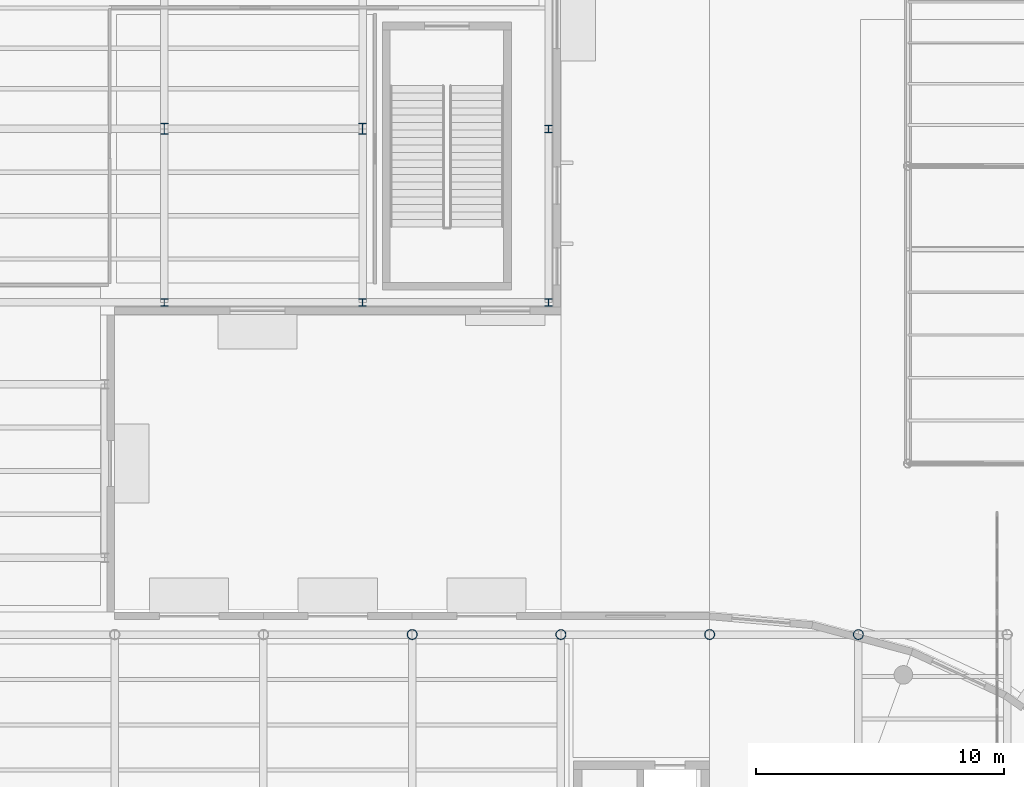
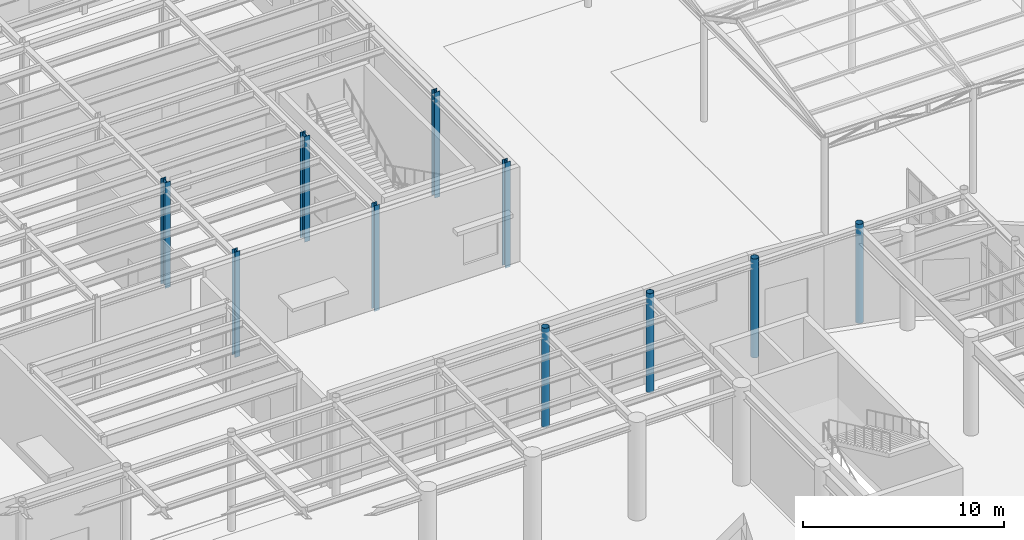
# One storey, part 10 of 118: 10 columns.
"""IFC4 building model written with IfcOpenShell, lengths in metres."""

import ifcopenshell
import ifcopenshell.guid

model = None  # the IFC model being written
_history = None  # IfcOwnerHistory: only IFC2X3 demands one
_inside = {}  # id of a spatial element -> (the spatial element, [elements in it])
_under = {}  # id of a project, library or spatial element -> (it, [spatial elements below it])
_declared = {}  # id of a project -> (the project, [libraries it declares])
_typed = {}  # id of a type object -> (the type object, [elements of that type])
_made_of = {}  # id of a material, layer set ... -> (it, [elements and type objects made of it])


def new_model(schema):
    """Start an empty IFC model of exactly this schema.

    Asked for "IFC4X3", IfcOpenShell would pick the latest addendum, in which some entities
    have other attributes; the version numbers below select the first issue.
    IFC2X3 requires an IfcOwnerHistory on every rooted entity: one is made here for all.
    """
    global model, _history
    if schema == "IFC4X3":
        model = ifcopenshell.file(schema_version=(4, 3, 0, 0))
    else:
        model = ifcopenshell.file(schema=schema)
    _inside.clear()
    _under.clear()
    _declared.clear()
    _typed.clear()
    _made_of.clear()
    _history = None
    if model.schema == "IFC2X3":
        org = make("IfcOrganization", Name="unknown")
        user = make(
            "IfcPersonAndOrganization",
            ThePerson=make("IfcPerson", FamilyName="unknown"),
            TheOrganization=org,
        )
        app = make(
            "IfcApplication",
            ApplicationDeveloper=org,
            Version="unknown",
            ApplicationFullName="unknown",
            ApplicationIdentifier="unknown",
        )
        _history = make(
            "IfcOwnerHistory",
            OwningUser=user,
            OwningApplication=app,
            ChangeAction="ADDED",
            CreationDate=0,
        )
    return model


def make(cls, **values):
    """One entity of the class cls with the attributes given. An attribute that is None is left unset."""
    return model.create_entity(
        cls, **{name: value for name, value in values.items() if value is not None}
    )


def rooted(cls, **values):
    """An entity with a GlobalId (a new one), such as an element, a storey or a relation."""
    return make(cls, GlobalId=ifcopenshell.guid.new(), OwnerHistory=_history, **values)


def si_unit(unit_type, name, prefix=None):
    """IfcSIUnit, for example si_unit("LENGTHUNIT", "METRE", prefix="MILLI")."""
    return make("IfcSIUnit", UnitType=unit_type, Prefix=prefix, Name=name)


def assignment(units):
    """IfcUnitAssignment: the units of a project."""
    return None if units is None else make("IfcUnitAssignment", Units=units)


def point(xyz):
    """IfcCartesianPoint."""
    return None if xyz is None else make("IfcCartesianPoint", Coordinates=xyz)


def direction(xyz):
    """IfcDirection."""
    return None if xyz is None else make("IfcDirection", DirectionRatios=xyz)


def frame(location, z_axis=None, x_axis=None):
    """IfcAxis2Placement3D, a coordinate frame: its origin and axes. An axis left out is left unset."""
    return make(
        "IfcAxis2Placement3D",
        Location=point(location),
        Axis=direction(z_axis),
        RefDirection=direction(x_axis),
    )


def frame_2d(location, x_axis=None):
    """IfcAxis2Placement2D, a coordinate frame in the plane: its origin and x axis."""
    return make(
        "IfcAxis2Placement2D", Location=point(location), RefDirection=direction(x_axis)
    )


def origin():
    """The frame at (0, 0, 0) with its axes left unset."""
    return frame((0.0, 0.0, 0.0))


def origin_2d():
    """The frame at (0, 0) in the plane with its x axis left unset."""
    return frame_2d((0.0, 0.0))


def place(relative_to, where):
    """IfcLocalPlacement: puts the frame where relative to a parent placement (None: the world)."""
    return make(
        "IfcLocalPlacement", PlacementRelTo=relative_to, RelativePlacement=where
    )


def context(
    kind, dimensions, precision=None, world=None, true_north=None, identifier=None
):
    """IfcGeometricRepresentationContext, for example the 3D "Model" context."""
    return make(
        "IfcGeometricRepresentationContext",
        ContextIdentifier=identifier,
        ContextType=kind,
        CoordinateSpaceDimension=dimensions,
        Precision=precision,
        WorldCoordinateSystem=world,
        TrueNorth=true_north,
    )


def subcontext(parent, identifier, kind, view, scale=None):
    """IfcGeometricRepresentationSubContext, for example "Body" below "Model"."""
    return make(
        "IfcGeometricRepresentationSubContext",
        ContextIdentifier=identifier,
        ContextType=kind,
        ParentContext=parent,
        TargetScale=scale,
        TargetView=view,
    )


def project(units=None, contexts=None):
    """IfcProject with its units and contexts."""
    return rooted(
        "IfcProject",
        Name="project",
        RepresentationContexts=contexts,
        UnitsInContext=assignment(units),
    )


def spatial(cls, under=None, at=None, **own):
    """A site, building, storey or space (cls), placed at a placement, below another one or the project."""
    s = rooted(cls, ObjectPlacement=at, **own)
    if under is not None:
        _under.setdefault(under.id(), (under, []))[1].append(s)
    return s


def profile(cls, at=None, kind="AREA", **sizes):
    """A parametric profile (cls). Its sizes go by their IFC names, for example OverallWidth=200.0."""
    return make(cls, ProfileType=kind, Position=at, **sizes)


def hollow_circle(**sizes):
    """IfcCircleHollowProfileDef."""
    return profile("IfcCircleHollowProfileDef", **sizes)


def i_section(**sizes):
    """IfcIShapeProfileDef."""
    return profile("IfcIShapeProfileDef", **sizes)


def extrude(swept, where, along, depth):
    """IfcExtrudedAreaSolid: the profile swept, set in the frame where, extruded along a direction by depth."""
    return make(
        "IfcExtrudedAreaSolid",
        SweptArea=swept,
        Position=where,
        ExtrudedDirection=direction(along),
        Depth=depth,
    )


def shape(context_of_items, identifier, shape_type, items):
    """IfcShapeRepresentation: the items that make up one representation, for example the "Body"."""
    return make(
        "IfcShapeRepresentation",
        ContextOfItems=context_of_items,
        RepresentationIdentifier=identifier,
        RepresentationType=shape_type,
        Items=items,
    )


def material(Name=None, Category=None):
    """IfcMaterial."""
    return make("IfcMaterial", Name=Name, Category=Category)


def material_profile(
    of_material, cross_section, Name=None, Category=None, Priority=None
):
    """IfcMaterialProfile: a cross section and its material."""
    return make(
        "IfcMaterialProfile",
        Name=Name,
        Material=of_material,
        Profile=cross_section,
        Priority=Priority,
        Category=Category,
    )


def profile_set(profiles, Name=None, composite=None):
    """IfcMaterialProfileSet."""
    return make(
        "IfcMaterialProfileSet",
        Name=Name,
        MaterialProfiles=profiles,
        CompositeProfile=composite,
    )


def made_of(thing, what):
    """Note that an element or type object is made of a material, layer set ...; save() writes the relation."""
    if what is not None:
        _made_of.setdefault(what.id(), (what, []))[1].append(thing)
    return thing


def type_object(cls, material=None, **own):
    """A type object (cls), such as IfcWallType, which elements share."""
    return made_of(rooted(cls, **own), material)


def element(
    cls,
    number,
    at=None,
    inside=None,
    cuts=None,
    type_object=None,
    material=None,
    context=None,
    identifier="Body",
    shape_type=None,
    held_by="IfcProductDefinitionShape",
    body=None,
    shapes=None,
    **own,
):
    """One element of the class cls, such as IfcWall. Its Tag is "e" and its number.

    at: its placement. inside: the storey or other place that contains it. cuts: it is an
    opening in that element (IfcRelVoidsElement). A single representation is given by context,
    identifier, shape_type and body (its items); several are given by shapes. held_by: the class
    of the entity that holds the representations. save() writes the other relations.
    """
    e = rooted(cls, Tag="e%d" % number, ObjectPlacement=at, **own)
    if body is not None:
        shapes = [shape(context, identifier, shape_type, body)]
    if shapes is not None:
        e.Representation = make(held_by, Representations=shapes)
    if inside is not None:
        _inside.setdefault(inside.id(), (inside, []))[1].append(e)
    if cuts is not None:
        rooted(
            "IfcRelVoidsElement", RelatingBuildingElement=cuts, RelatedOpeningElement=e
        )
    if type_object is not None:
        _typed.setdefault(type_object.id(), (type_object, []))[1].append(e)
    return made_of(e, material)


def aggregate(whole, parts):
    """IfcRelAggregates: a whole, such as a stair, and the parts it consists of."""
    return rooted("IfcRelAggregates", RelatingObject=whole, RelatedObjects=parts)


def save(model, path):
    """Write the relations noted so far, then the file.

    IfcRelAggregates (storeys below a building ...), IfcRelContainedInSpatialStructure (elements
    in a storey), IfcRelDefinesByType, IfcRelAssociatesMaterial and IfcRelDeclares: one each for
    every whole, place, type object, material and project.
    """
    for whole, parts in _under.values():
        aggregate(whole, parts)
    for where, things in _inside.values():
        rooted(
            "IfcRelContainedInSpatialStructure",
            RelatedElements=things,
            RelatingStructure=where,
        )
    for kind, things in _typed.values():
        rooted("IfcRelDefinesByType", RelatedObjects=things, RelatingType=kind)
    for what, things in _made_of.values():
        rooted("IfcRelAssociatesMaterial", RelatedObjects=things, RelatingMaterial=what)
    for by, libraries in _declared.values():
        rooted("IfcRelDeclares", RelatingContext=by, RelatedDefinitions=libraries)
    model.write(path)


model = new_model("IFC4")

# Units and contexts
model_context = context("Model", 3, precision=1e-05, world=origin(), true_north=direction((0.0, 1.0)))
body_context = subcontext(model_context, "Body", "Model", "MODEL_VIEW")
ifc_project = project(units=[si_unit("LENGTHUNIT", "METRE"), si_unit("AREAUNIT", "SQUARE_METRE"), si_unit("VOLUMEUNIT", "CUBIC_METRE"), si_unit("PLANEANGLEUNIT", "RADIAN"), si_unit("MASSUNIT", "GRAM", prefix="KILO")], contexts=[model_context])

# Site, building, storey
site_placement = place(None, origin())
site = spatial("IfcSite", under=ifc_project, at=site_placement, CompositionType="ELEMENT")
building_placement = place(site_placement, origin())
building = spatial("IfcBuilding", under=site, at=building_placement, Name="Kolvaren Corner Interchange", CompositionType="ELEMENT")
storey_placement = place(building_placement, origin())
storey = spatial("IfcBuildingStorey", under=building, at=storey_placement, Name="L01", CompositionType="ELEMENT", Elevation=0.0)

# Columns
ifc_material_1 = material(Name="Steel S355", Category="steel")
ifc_material_profile_1 = material_profile(ifc_material_1, hollow_circle(Radius=0.203125, WallThickness=0.01611328125, at=origin_2d()), Name="CHS 406.4x16.0")
ifc_profile_set_1 = profile_set([ifc_material_profile_1], Name="Steel S355")
column_type_1 = type_object("IfcColumnType", Name="COL-CHS406", PredefinedType="COLUMN", material=ifc_profile_set_1)
for number, where, z_axis, x_axis, name in (
    (1, (108.0, 71.10009765625, 0.0), (0.0, 0.0, 1.0), (1.0, 0.0, 0.0), "Storey L01 Structural Column 0640"),
    (2, (114.0, 71.10009765625, 0.0), (0.0, 0.0, 1.0), (1.0, 0.0, 0.0), "Storey L01 Structural Column 0660"),
    (3, (120.0, 71.10009765625, 0.0), (0.0, 0.0, 1.0), (1.0, 0.0, 0.0), "Storey L01 Structural Column 0674"),
    (4, (126.0, 71.10009765625, 0.0), (0.0, 0.0, 1.0), (1.0, 0.0, 0.0), "Storey L01 Structural Column 0744"),
):
    element("IfcColumn", number, at=place(storey_placement, frame(where, z_axis=z_axis, x_axis=x_axis)), inside=storey, type_object=column_type_1, Name=name, PredefinedType="COLUMN", context=body_context, shape_type="SweptSolid", body=[
        extrude(hollow_circle(Radius=0.203125, WallThickness=0.01611328125, at=origin_2d()), origin(), (0.0, 0.0, 1.0), 6.0),
    ])
ifc_material_2 = material(Name="Steel S355", Category="steel")
ifc_material_profile_2 = material_profile(ifc_material_2, i_section(OverallWidth=0.300048828125, OverallDepth=0.449951171875, WebThickness=0.013916015625, FlangeThickness=0.02587890625, FilletRadius=0.027099609375, at=origin_2d()), Name="HEB 450")
ifc_profile_set_2 = profile_set([ifc_material_profile_2], Name="Steel S355")
column_type_2 = type_object("IfcColumnType", Name="COL-HEB450", PredefinedType="COLUMN", material=ifc_profile_set_2)
for number, where, z_axis, x_axis, name in (
    (5, (98.0, 91.5, -0.39990234375), (0.0, 0.0, 1.0), (1.0, 0.0, 0.0), "Storey L01 Structural Column 0908"),
    (6, (106.0, 91.5, -0.39990234375), (0.0, 0.0, 1.0), (1.0, 0.0, 0.0), "Storey L01 Structural Column 0918"),
):
    element("IfcColumn", number, at=place(storey_placement, frame(where, z_axis=z_axis, x_axis=x_axis)), inside=storey, type_object=column_type_2, Name=name, PredefinedType="COLUMN", context=body_context, shape_type="SweptSolid", body=[
        extrude(i_section(OverallWidth=0.300048828125, OverallDepth=0.449951171875, WebThickness=0.013916015625, FlangeThickness=0.02587890625, FilletRadius=0.027099609375, at=origin_2d()), origin(), (0.0, 0.0, 1.0), 6.39990234375),
    ])
ifc_material_3 = material(Name="Steel S355", Category="steel")
ifc_material_profile_3 = material_profile(ifc_material_3, i_section(OverallWidth=0.300048828125, OverallDepth=0.300048828125, WebThickness=0.010986328125, FlangeThickness=0.01904296875, FilletRadius=0.027099609375, at=origin_2d()), Name="HEB 300")
ifc_profile_set_3 = profile_set([ifc_material_profile_3], Name="Steel S355")
column_type_3 = type_object("IfcColumnType", Name="PIL-HEB300", PredefinedType="PILASTER", material=ifc_profile_set_3)
for number, where, z_axis, x_axis, name in (
    (7, (98.0, 84.5, -0.39990234375), (0.0, 0.0, 1.0), (1.0, 0.0, 0.0), "Storey L01 Structural Column 0906"),
    (8, (106.0, 84.5, -0.39990234375), (0.0, 0.0, 1.0), (1.0, 0.0, 0.0), "Storey L01 Structural Column 0916"),
    (9, (113.5, 84.5, -0.39990234375), (0.0, 0.0, 1.0), (1.0, 0.0, 0.0), "Storey L01 Structural Column 0926"),
    (10, (113.5, 91.5, -0.39990234375), (0.0, 0.0, 1.0), (1.0, 0.0, 0.0), "Storey L01 Structural Column 0928"),
):
    element("IfcColumn", number, at=place(storey_placement, frame(where, z_axis=z_axis, x_axis=x_axis)), inside=storey, type_object=column_type_3, Name=name, PredefinedType="PILASTER", context=body_context, shape_type="SweptSolid", body=[
        extrude(i_section(OverallWidth=0.300048828125, OverallDepth=0.300048828125, WebThickness=0.010986328125, FlangeThickness=0.01904296875, FilletRadius=0.027099609375, at=origin_2d()), origin(), (0.0, 0.0, 1.0), 6.39990234375),
    ])

save(model, "model.ifc")
